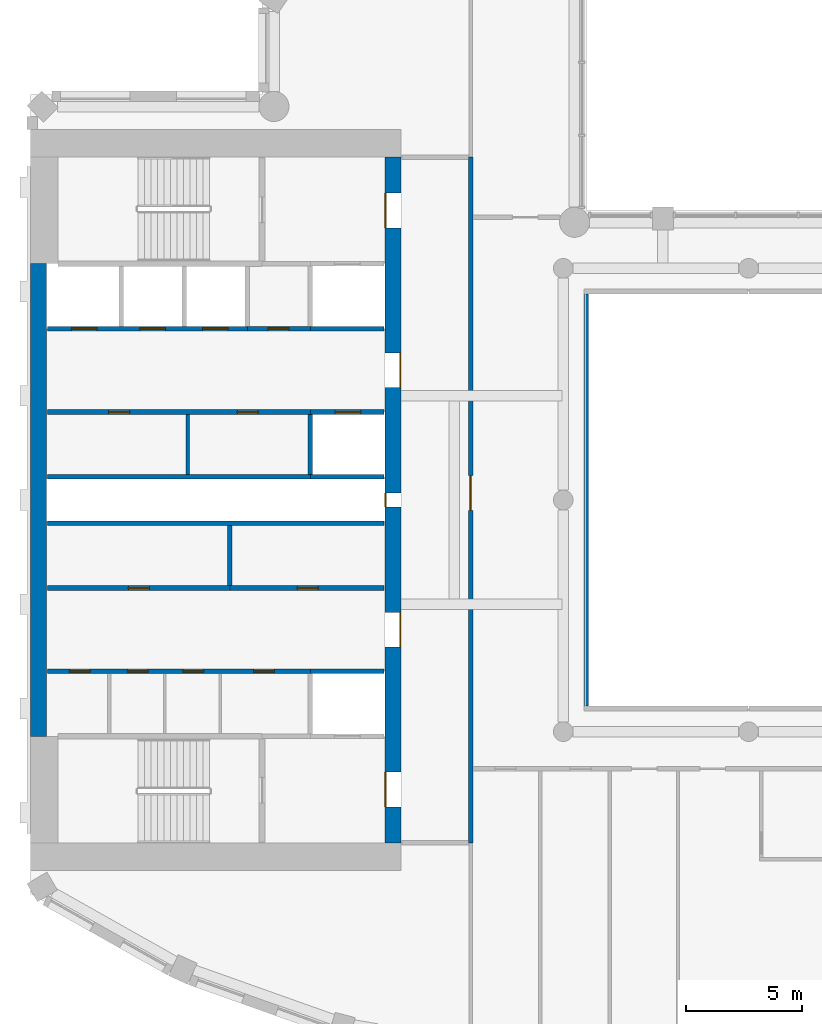
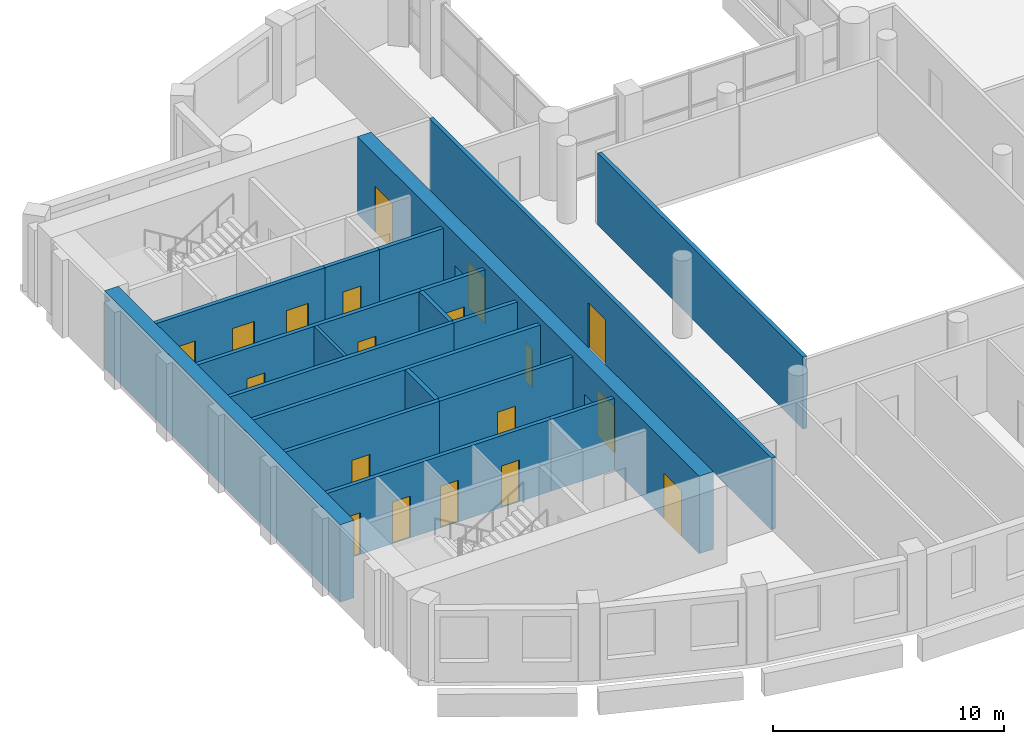
# One storey, part 5 of 14: 19 doors, 19 walls, 19 openings.
"""IFC4 building model written with IfcOpenShell, lengths in metres."""

from ifc_helpers import new_model, si_unit, direction, frame, frame_2d, origin, place, context, subcontext, project, spatial, rectangle, extrude, material, layer, layer_set, type_object, element, fill, save


model = new_model("IFC4")

# Units and contexts
model_context = context("Model", 3, precision=1e-05, world=origin(), true_north=direction((0.0, 1.0)))
body_context = subcontext(model_context, "Body", "Model", "MODEL_VIEW")
ifc_project = project(units=[si_unit("LENGTHUNIT", "METRE"), si_unit("AREAUNIT", "SQUARE_METRE"), si_unit("VOLUMEUNIT", "CUBIC_METRE"), si_unit("PLANEANGLEUNIT", "RADIAN"), si_unit("MASSUNIT", "GRAM", prefix="KILO")], contexts=[model_context])

# Site, building, storey
site_placement = place(None, origin())
site = spatial("IfcSite", under=ifc_project, at=site_placement, CompositionType="ELEMENT")
building_placement = place(site_placement, origin())
building = spatial("IfcBuilding", under=site, at=building_placement, Name="Cypress Arch Tower", CompositionType="ELEMENT")
storey_placement = place(building_placement, frame((0.0, 0.0, 247.5)))
storey = spatial("IfcBuildingStorey", under=building, at=storey_placement, Name="L55", CompositionType="ELEMENT", Elevation=247.5)

# Wall, openings, doors
ifc_material_1 = material(Name="Concrete C60/75", Category="concrete")
ifc_layer_1 = layer(ifc_material_1, 0.699951171875)
ifc_layer_set_1 = layer_set([ifc_layer_1], Name="Core wall CW700 C60/75")
wall_type_1 = type_object("IfcWallType", Name="Core wall CW700 C60/75", PredefinedType="SHEAR", material=ifc_layer_set_1)
wall_1_placement = place(storey_placement, frame((-14.35009765625, -14.800048828125, 0.0), z_axis=(0.0, 0.0, 1.0), x_axis=(0.0, 1.0, 0.0)))
wall_1 = element("IfcWall", 1, at=wall_1_placement, inside=storey, type_object=wall_type_1, Name="Core wall", PredefinedType="SHEAR", context=body_context, shape_type="SweptSolid", body=[
    extrude(rectangle(XDim=29.60009765625, YDim=0.699951171875, at=frame_2d((14.800048828125, 0.0))), origin(), (0.0, 0.0, 1.0), 4.10009765625),
])
opening_1_placement = place(wall_1_placement, frame((1.550048828125, 0.0, 0.0)))
opening_1 = element("IfcOpeningElement", 2, at=opening_1_placement, cuts=wall_1, Name="Opening D07", PredefinedType="OPENING", context=body_context, shape_type="SweptSolid", body=[
    extrude(rectangle(XDim=1.5, YDim=2.39990234375, at=frame_2d((0.75, 1.199951171875))), frame((0.0, 0.35986328125, 0.0), z_axis=(0.0, -1.0, 0.0), x_axis=(1.0, 0.0, 0.0)), (0.0, 0.0, 1.0), 0.719970703125),
])
opening_2_placement = place(wall_1_placement, frame((26.550048828125, 0.0, 0.0)))
opening_2 = element("IfcOpeningElement", 3, at=opening_2_placement, cuts=wall_1, Name="Opening D07", PredefinedType="OPENING", context=body_context, shape_type="SweptSolid", body=[
    extrude(rectangle(XDim=1.5, YDim=2.39990234375, at=frame_2d((0.75, 1.199951171875))), frame((0.0, 0.35986328125, 0.0), z_axis=(0.0, -1.0, 0.0), x_axis=(1.0, 0.0, 0.0)), (0.0, 0.0, 1.0), 0.719970703125),
])
opening_3_placement = place(wall_1_placement, frame((8.449951171875, 0.0, 0.0)))
opening_3 = element("IfcOpeningElement", 4, at=opening_3_placement, cuts=wall_1, Name="Opening D07", PredefinedType="OPENING", context=body_context, shape_type="SweptSolid", body=[
    extrude(rectangle(XDim=1.5, YDim=2.39990234375, at=frame_2d((0.75, 1.199951171875))), frame((0.0, 0.35986328125, 0.0), z_axis=(0.0, -1.0, 0.0), x_axis=(1.0, 0.0, 0.0)), (0.0, 0.0, 1.0), 0.719970703125),
])
opening_4_placement = place(wall_1_placement, frame((19.64990234375, 0.0, 0.0)))
opening_4 = element("IfcOpeningElement", 5, at=opening_4_placement, cuts=wall_1, Name="Opening D07", PredefinedType="OPENING", context=body_context, shape_type="SweptSolid", body=[
    extrude(rectangle(XDim=1.5, YDim=2.39990234375, at=frame_2d((0.75, 1.199951171875))), frame((0.0, 0.35986328125, 0.0), z_axis=(0.0, -1.0, 0.0), x_axis=(1.0, 0.0, 0.0)), (0.0, 0.0, 1.0), 0.719970703125),
])
opening_5_placement = place(wall_1_placement, frame((14.5, 0.0, 0.0)))
opening_5 = element("IfcOpeningElement", 6, at=opening_5_placement, cuts=wall_1, Name="Opening D08", PredefinedType="OPENING", context=body_context, shape_type="SweptSolid", body=[
    extrude(rectangle(XDim=0.60009765625, YDim=2.0, at=frame_2d((0.300048828125, 1.0))), frame((0.0, 0.35986328125, 0.0), z_axis=(0.0, -1.0, 0.0), x_axis=(1.0, 0.0, 0.0)), (0.0, 0.0, 1.0), 0.719970703125),
])
ifc_material_2 = material(Name="Steel framed glazed door, fire resisting", Category="steel")
door_type_1 = type_object("IfcDoorType", Name="Lobby door D07 1500x2400", OperationType="DOUBLE_DOOR_SINGLE_SWING", PredefinedType="DOOR", material=ifc_material_2)
door_1_placement = place(opening_1_placement, origin())
door_1 = element("IfcDoor", 7, at=door_1_placement, inside=storey, type_object=door_type_1, Name="Lobby door", OperationType="DOUBLE_DOOR_SINGLE_SWING", OverallHeight=2.39990234375, OverallWidth=1.5, PredefinedType="DOOR", context=body_context, shape_type="SweptSolid", body=[
    extrude(rectangle(XDim=1.5, YDim=2.39990234375, at=frame_2d((0.75, 1.199951171875))), frame((0.0, 0.34521484375, 0.0), z_axis=(0.0, -1.0, 0.0), x_axis=(1.0, 0.0, 0.0)), (0.0, 0.0, 1.0), 0.050048828125),
])
fill(opening_1, door_1)
door_2_placement = place(opening_2_placement, origin())
door_2 = element("IfcDoor", 8, at=door_2_placement, inside=storey, type_object=door_type_1, Name="Lobby door", OperationType="DOUBLE_DOOR_SINGLE_SWING", OverallHeight=2.39990234375, OverallWidth=1.5, PredefinedType="DOOR", context=body_context, shape_type="SweptSolid", body=[
    extrude(rectangle(XDim=1.5, YDim=2.39990234375, at=frame_2d((0.75, 1.199951171875))), frame((0.0, 0.34521484375, 0.0), z_axis=(0.0, -1.0, 0.0), x_axis=(1.0, 0.0, 0.0)), (0.0, 0.0, 1.0), 0.050048828125),
])
fill(opening_2, door_2)
door_3_placement = place(opening_3_placement, origin())
door_3 = element("IfcDoor", 9, at=door_3_placement, inside=storey, type_object=door_type_1, Name="Lobby door", OperationType="DOUBLE_DOOR_SINGLE_SWING", OverallHeight=2.39990234375, OverallWidth=1.5, PredefinedType="DOOR", context=body_context, shape_type="SweptSolid", body=[
    extrude(rectangle(XDim=1.5, YDim=2.39990234375, at=frame_2d((0.75, 1.199951171875))), frame((0.0, -0.294921875, 0.0), z_axis=(0.0, -1.0, 0.0), x_axis=(1.0, 0.0, 0.0)), (0.0, 0.0, 1.0), 0.050048828125),
])
fill(opening_3, door_3)
door_4_placement = place(opening_4_placement, origin())
door_4 = element("IfcDoor", 10, at=door_4_placement, inside=storey, type_object=door_type_1, Name="Lobby door", OperationType="DOUBLE_DOOR_SINGLE_SWING", OverallHeight=2.39990234375, OverallWidth=1.5, PredefinedType="DOOR", context=body_context, shape_type="SweptSolid", body=[
    extrude(rectangle(XDim=1.5, YDim=2.39990234375, at=frame_2d((0.75, 1.199951171875))), frame((0.0, -0.294921875, 0.0), z_axis=(0.0, -1.0, 0.0), x_axis=(1.0, 0.0, 0.0)), (0.0, 0.0, 1.0), 0.050048828125),
])
fill(opening_4, door_4)
ifc_material_3 = material(Name="Steel access door, fire resisting", Category="steel")
door_type_2 = type_object("IfcDoorType", Name="Riser access door D08 600x2000", OperationType="SINGLE_SWING_LEFT", PredefinedType="DOOR", material=ifc_material_3)
door_5_placement = place(opening_5_placement, origin())
door_5 = element("IfcDoor", 11, at=door_5_placement, inside=storey, type_object=door_type_2, Name="Riser access door", OperationType="SINGLE_SWING_RIGHT", OverallHeight=2.0, OverallWidth=0.60009765625, PredefinedType="DOOR", context=body_context, shape_type="SweptSolid", body=[
    extrude(rectangle(XDim=0.60009765625, YDim=2.0, at=frame_2d((0.300048828125, 1.0))), frame((0.0, 0.34521484375, 0.0), z_axis=(0.0, -1.0, 0.0), x_axis=(1.0, 0.0, 0.0)), (0.0, 0.0, 1.0), 0.050048828125),
])
fill(opening_5, door_5)

# Wall
wall_2_placement = place(storey_placement, frame((-29.64990234375, -10.199951171875, 0.0), z_axis=(0.0, 0.0, 1.0), x_axis=(0.0, 1.0, 0.0)))
element("IfcWall", 12, at=wall_2_placement, inside=storey, type_object=wall_type_1, Name="Core wall", PredefinedType="SHEAR", context=body_context, shape_type="SweptSolid", body=[
    extrude(rectangle(XDim=20.39990234375, YDim=0.699951171875, at=frame_2d((10.199951171875, 0.0))), origin(), (0.0, 0.0, 1.0), 4.10009765625),
])

# Wall, openings, doors
ifc_material_4 = material(Name="Concrete blockwork, plastered, rated", Category="masonry")
ifc_layer_2 = layer(ifc_material_4, 0.199951171875)
ifc_layer_set_2 = layer_set([ifc_layer_2], Name="Corridor wall FW200")
wall_type_2 = type_object("IfcWallType", Name="Corridor wall FW200", PredefinedType="PARTITIONING", material=ifc_layer_set_2)
wall_3_placement = place(storey_placement, frame((-29.27001953125, -7.39990234375, 0.0), z_axis=(0.0, 0.0, 1.0), x_axis=(1.0, 0.0, 0.0)))
wall_3 = element("IfcWall", 13, at=wall_3_placement, inside=storey, type_object=wall_type_2, Name="Corridor wall", PredefinedType="PARTITIONING", context=body_context, shape_type="SweptSolid", body=[
    extrude(rectangle(XDim=11.3701171875, YDim=0.199951171875, at=frame_2d((5.68505859375, 0.0))), origin(), (0.0, 0.0, 1.0), 3.800048828125),
])
opening_6_placement = place(wall_3_placement, frame((0.949951171875, 0.0, 0.0)))
opening_6 = element("IfcOpeningElement", 14, at=opening_6_placement, cuts=wall_3, Name="Opening D05", PredefinedType="OPENING", context=body_context, shape_type="SweptSolid", body=[
    extrude(rectangle(XDim=0.89990234375, YDim=2.199951171875, at=frame_2d((0.449951171875, 1.10009765625))), frame((0.0, 0.10986328125, 0.0), z_axis=(0.0, -1.0, 0.0), x_axis=(1.0, 0.0, 0.0)), (0.0, 0.0, 1.0), 0.219970703125),
])
opening_7_placement = place(wall_3_placement, frame((3.449951171875, 0.0, 0.0)))
opening_7 = element("IfcOpeningElement", 15, at=opening_7_placement, cuts=wall_3, Name="Opening D05", PredefinedType="OPENING", context=body_context, shape_type="SweptSolid", body=[
    extrude(rectangle(XDim=0.89990234375, YDim=2.199951171875, at=frame_2d((0.449951171875, 1.10009765625))), frame((0.0, 0.10986328125, 0.0), z_axis=(0.0, -1.0, 0.0), x_axis=(1.0, 0.0, 0.0)), (0.0, 0.0, 1.0), 0.219970703125),
])
opening_8_placement = place(wall_3_placement, frame((5.85009765625, 0.0, 0.0)))
opening_8 = element("IfcOpeningElement", 16, at=opening_8_placement, cuts=wall_3, Name="Opening D05", PredefinedType="OPENING", context=body_context, shape_type="SweptSolid", body=[
    extrude(rectangle(XDim=0.89990234375, YDim=2.199951171875, at=frame_2d((0.449951171875, 1.10009765625))), frame((0.0, 0.10986328125, 0.0), z_axis=(0.0, -1.0, 0.0), x_axis=(1.0, 0.0, 0.0)), (0.0, 0.0, 1.0), 0.219970703125),
])
opening_9_placement = place(wall_3_placement, frame((8.89990234375, 0.0, 0.0)))
opening_9 = element("IfcOpeningElement", 17, at=opening_9_placement, cuts=wall_3, Name="Opening D05", PredefinedType="OPENING", context=body_context, shape_type="SweptSolid", body=[
    extrude(rectangle(XDim=0.89990234375, YDim=2.199951171875, at=frame_2d((0.449951171875, 1.10009765625))), frame((0.0, 0.10986328125, 0.0), z_axis=(0.0, -1.0, 0.0), x_axis=(1.0, 0.0, 0.0)), (0.0, 0.0, 1.0), 0.219970703125),
])
ifc_material_5 = material(Name="Timber flush door", Category="wood")
door_type_3 = type_object("IfcDoorType", Name="Service door D05 900x2200", OperationType="SINGLE_SWING_LEFT", PredefinedType="DOOR", material=ifc_material_5)
door_6_placement = place(opening_6_placement, origin())
door_6 = element("IfcDoor", 18, at=door_6_placement, inside=storey, type_object=door_type_3, Name="Service door", OperationType="SINGLE_SWING_LEFT", OverallHeight=2.199951171875, OverallWidth=0.89990234375, PredefinedType="DOOR", context=body_context, shape_type="SweptSolid", body=[
    extrude(rectangle(XDim=0.89990234375, YDim=2.199951171875, at=frame_2d((0.449951171875, 1.10009765625))), frame((0.0, 0.02490234375, 0.0), z_axis=(0.0, -1.0, 0.0), x_axis=(1.0, 0.0, 0.0)), (0.0, 0.0, 1.0), 0.050048828125),
])
fill(opening_6, door_6)
door_7_placement = place(opening_7_placement, origin())
door_7 = element("IfcDoor", 19, at=door_7_placement, inside=storey, type_object=door_type_3, Name="Service door", OperationType="SINGLE_SWING_LEFT", OverallHeight=2.199951171875, OverallWidth=0.89990234375, PredefinedType="DOOR", context=body_context, shape_type="SweptSolid", body=[
    extrude(rectangle(XDim=0.89990234375, YDim=2.199951171875, at=frame_2d((0.449951171875, 1.10009765625))), frame((0.0, 0.02490234375, 0.0), z_axis=(0.0, -1.0, 0.0), x_axis=(1.0, 0.0, 0.0)), (0.0, 0.0, 1.0), 0.050048828125),
])
fill(opening_7, door_7)
door_8_placement = place(opening_8_placement, origin())
door_8 = element("IfcDoor", 20, at=door_8_placement, inside=storey, type_object=door_type_3, Name="Service door", OperationType="SINGLE_SWING_LEFT", OverallHeight=2.199951171875, OverallWidth=0.89990234375, PredefinedType="DOOR", context=body_context, shape_type="SweptSolid", body=[
    extrude(rectangle(XDim=0.89990234375, YDim=2.199951171875, at=frame_2d((0.449951171875, 1.10009765625))), frame((0.0, 0.02490234375, 0.0), z_axis=(0.0, -1.0, 0.0), x_axis=(1.0, 0.0, 0.0)), (0.0, 0.0, 1.0), 0.050048828125),
])
fill(opening_8, door_8)
door_9_placement = place(opening_9_placement, origin())
door_9 = element("IfcDoor", 21, at=door_9_placement, inside=storey, type_object=door_type_3, Name="Service door", OperationType="SINGLE_SWING_RIGHT", OverallHeight=2.199951171875, OverallWidth=0.89990234375, PredefinedType="DOOR", context=body_context, shape_type="SweptSolid", body=[
    extrude(rectangle(XDim=0.89990234375, YDim=2.199951171875, at=frame_2d((0.449951171875, 1.10009765625))), frame((0.0, 0.02490234375, 0.0), z_axis=(0.0, -1.0, 0.0), x_axis=(1.0, 0.0, 0.0)), (0.0, 0.0, 1.0), 0.050048828125),
])
fill(opening_9, door_9)

wall_4_placement = place(storey_placement, frame((-29.27001953125, 3.800048828125, 0.0), z_axis=(0.0, 0.0, 1.0), x_axis=(1.0, 0.0, 0.0)))
wall_4 = element("IfcWall", 22, at=wall_4_placement, inside=storey, type_object=wall_type_2, Name="Corridor wall", PredefinedType="PARTITIONING", context=body_context, shape_type="SweptSolid", body=[
    extrude(rectangle(XDim=11.3701171875, YDim=0.199951171875, at=frame_2d((5.68505859375, 0.0))), origin(), (0.0, 0.0, 1.0), 3.800048828125),
])
opening_10_placement = place(wall_4_placement, frame((2.64990234375, 0.0, 0.0)))
opening_10 = element("IfcOpeningElement", 23, at=opening_10_placement, cuts=wall_4, Name="Opening D05", PredefinedType="OPENING", context=body_context, shape_type="SweptSolid", body=[
    extrude(rectangle(XDim=0.89990234375, YDim=2.199951171875, at=frame_2d((0.449951171875, 1.10009765625))), frame((0.0, 0.10986328125, 0.0), z_axis=(0.0, -1.0, 0.0), x_axis=(1.0, 0.0, 0.0)), (0.0, 0.0, 1.0), 0.219970703125),
])
opening_11_placement = place(wall_4_placement, frame((8.199951171875, 0.0, 0.0)))
opening_11 = element("IfcOpeningElement", 24, at=opening_11_placement, cuts=wall_4, Name="Opening D05", PredefinedType="OPENING", context=body_context, shape_type="SweptSolid", body=[
    extrude(rectangle(XDim=0.89990234375, YDim=2.199951171875, at=frame_2d((0.449951171875, 1.10009765625))), frame((0.0, 0.10986328125, 0.0), z_axis=(0.0, -1.0, 0.0), x_axis=(1.0, 0.0, 0.0)), (0.0, 0.0, 1.0), 0.219970703125),
])
door_10_placement = place(opening_10_placement, origin())
door_10 = element("IfcDoor", 25, at=door_10_placement, inside=storey, type_object=door_type_3, Name="Service door", OperationType="SINGLE_SWING_LEFT", OverallHeight=2.199951171875, OverallWidth=0.89990234375, PredefinedType="DOOR", context=body_context, shape_type="SweptSolid", body=[
    extrude(rectangle(XDim=0.89990234375, YDim=2.199951171875, at=frame_2d((0.449951171875, 1.10009765625))), frame((0.0, 0.02490234375, 0.0), z_axis=(0.0, -1.0, 0.0), x_axis=(1.0, 0.0, 0.0)), (0.0, 0.0, 1.0), 0.050048828125),
])
fill(opening_10, door_10)
door_11_placement = place(opening_11_placement, origin())
door_11 = element("IfcDoor", 26, at=door_11_placement, inside=storey, type_object=door_type_3, Name="Service door", OperationType="SINGLE_SWING_RIGHT", OverallHeight=2.199951171875, OverallWidth=0.89990234375, PredefinedType="DOOR", context=body_context, shape_type="SweptSolid", body=[
    extrude(rectangle(XDim=0.89990234375, YDim=2.199951171875, at=frame_2d((0.449951171875, 1.10009765625))), frame((0.0, 0.02490234375, 0.0), z_axis=(0.0, -1.0, 0.0), x_axis=(1.0, 0.0, 0.0)), (0.0, 0.0, 1.0), 0.050048828125),
])
fill(opening_11, door_11)

# Wall, opening, door
wall_5_placement = place(storey_placement, frame((-21.3798828125, -3.800048828125, 0.0), z_axis=(0.0, 0.0, 1.0), x_axis=(1.0, 0.0, 0.0)))
wall_5 = element("IfcWall", 27, at=wall_5_placement, inside=storey, type_object=wall_type_2, Name="Corridor wall", PredefinedType="PARTITIONING", context=body_context, shape_type="SweptSolid", body=[
    extrude(rectangle(XDim=6.64990234375, YDim=0.199951171875, at=frame_2d((3.324951171875, 0.0))), origin(), (0.0, 0.0, 1.0), 3.800048828125),
])
opening_12_placement = place(wall_5_placement, frame((2.89990234375, 0.0, 0.0)))
opening_12 = element("IfcOpeningElement", 28, at=opening_12_placement, cuts=wall_5, Name="Opening D05", PredefinedType="OPENING", context=body_context, shape_type="SweptSolid", body=[
    extrude(rectangle(XDim=0.89990234375, YDim=2.199951171875, at=frame_2d((0.449951171875, 1.10009765625))), frame((0.0, 0.10986328125, 0.0), z_axis=(0.0, -1.0, 0.0), x_axis=(1.0, 0.0, 0.0)), (0.0, 0.0, 1.0), 0.219970703125),
])
door_12_placement = place(opening_12_placement, origin())
door_12 = element("IfcDoor", 29, at=door_12_placement, inside=storey, type_object=door_type_3, Name="Service door", OperationType="SINGLE_SWING_LEFT", OverallHeight=2.199951171875, OverallWidth=0.89990234375, PredefinedType="DOOR", context=body_context, shape_type="SweptSolid", body=[
    extrude(rectangle(XDim=0.89990234375, YDim=2.199951171875, at=frame_2d((0.449951171875, 1.10009765625))), frame((0.0, 0.02490234375, 0.0), z_axis=(0.0, -1.0, 0.0), x_axis=(1.0, 0.0, 0.0)), (0.0, 0.0, 1.0), 0.050048828125),
])
fill(opening_12, door_12)

wall_6_placement = place(storey_placement, frame((-20.639892578125, 7.39990234375, 0.0), z_axis=(0.0, 0.0, 1.0), x_axis=(1.0, 0.0, 0.0)))
wall_6 = element("IfcWall", 30, at=wall_6_placement, inside=storey, type_object=wall_type_2, Name="Corridor wall", PredefinedType="PARTITIONING", context=body_context, shape_type="SweptSolid", body=[
    extrude(rectangle(XDim=2.719970703125, YDim=0.199951171875, at=frame_2d((1.35986328125, 0.0))), origin(), (0.0, 0.0, 1.0), 3.800048828125),
])
opening_13_placement = place(wall_6_placement, frame((0.89990234375, 0.0, 0.0)))
opening_13 = element("IfcOpeningElement", 31, at=opening_13_placement, cuts=wall_6, Name="Opening D05", PredefinedType="OPENING", context=body_context, shape_type="SweptSolid", body=[
    extrude(rectangle(XDim=0.89990234375, YDim=2.199951171875, at=frame_2d((0.449951171875, 1.10009765625))), frame((0.0, 0.10986328125, 0.0), z_axis=(0.0, -1.0, 0.0), x_axis=(1.0, 0.0, 0.0)), (0.0, 0.0, 1.0), 0.219970703125),
])
door_13_placement = place(opening_13_placement, origin())
door_13 = element("IfcDoor", 32, at=door_13_placement, inside=storey, type_object=door_type_3, Name="Service door", OperationType="SINGLE_SWING_LEFT", OverallHeight=2.199951171875, OverallWidth=0.89990234375, PredefinedType="DOOR", context=body_context, shape_type="SweptSolid", body=[
    extrude(rectangle(XDim=0.89990234375, YDim=2.199951171875, at=frame_2d((0.449951171875, 1.10009765625))), frame((0.0, 0.02490234375, 0.0), z_axis=(0.0, -1.0, 0.0), x_axis=(1.0, 0.0, 0.0)), (0.0, 0.0, 1.0), 0.050048828125),
])
fill(opening_13, door_13)

wall_7_placement = place(storey_placement, frame((-11.0, -14.800048828125, 0.0), z_axis=(0.0, 0.0, 1.0), x_axis=(0.0, 1.0, 0.0)))
wall_7 = element("IfcWall", 33, at=wall_7_placement, inside=storey, type_object=wall_type_2, Name="Corridor wall", PredefinedType="PARTITIONING", context=body_context, shape_type="SweptSolid", body=[
    extrude(rectangle(XDim=29.60009765625, YDim=0.199951171875, at=frame_2d((14.800048828125, 0.0))), origin(), (0.0, 0.0, 1.0), 3.800048828125),
])
opening_14_placement = place(wall_7_placement, frame((14.35009765625, 0.0, 0.0)))
opening_14 = element("IfcOpeningElement", 34, at=opening_14_placement, cuts=wall_7, Name="Opening D07", PredefinedType="OPENING", context=body_context, shape_type="SweptSolid", body=[
    extrude(rectangle(XDim=1.5, YDim=2.39990234375, at=frame_2d((0.75, 1.199951171875))), frame((0.0, 0.10986328125, 0.0), z_axis=(0.0, -1.0, 0.0), x_axis=(1.0, 0.0, 0.0)), (0.0, 0.0, 1.0), 0.219970703125),
])
door_14_placement = place(opening_14_placement, origin())
door_14 = element("IfcDoor", 35, at=door_14_placement, inside=storey, type_object=door_type_1, Name="Lobby door", OperationType="DOUBLE_DOOR_SINGLE_SWING", OverallHeight=2.39990234375, OverallWidth=1.5, PredefinedType="DOOR", context=body_context, shape_type="SweptSolid", body=[
    extrude(rectangle(XDim=1.5, YDim=2.39990234375, at=frame_2d((0.75, 1.199951171875))), frame((0.0, 0.02490234375, 0.0), z_axis=(0.0, -1.0, 0.0), x_axis=(1.0, 0.0, 0.0)), (0.0, 0.0, 1.0), 0.050048828125),
])
fill(opening_14, door_14)

# Walls
wall_8_placement = place(storey_placement, frame((-6.0, -8.89990234375, 0.0), z_axis=(0.0, 0.0, 1.0), x_axis=(0.0, 1.0, 0.0)))
element("IfcWall", 36, at=wall_8_placement, inside=storey, type_object=wall_type_2, Name="Corridor wall", PredefinedType="PARTITIONING", context=body_context, shape_type="SweptSolid", body=[
    extrude(rectangle(XDim=17.7998046875, YDim=0.199951171875, at=frame_2d((8.89990234375, 0.0))), origin(), (0.0, 0.0, 1.0), 3.800048828125),
])
ifc_material_6 = material(Name="Blockwork, plastered both sides", Category="masonry")
ifc_layer_3 = layer(ifc_material_6, 0.14990234375)
ifc_layer_set_3 = layer_set([ifc_layer_3], Name="Partition PW150")
wall_type_3 = type_object("IfcWallType", Name="Partition PW150", PredefinedType="PARTITIONING", material=ifc_layer_set_3)
wall_9_placement = place(storey_placement, frame((-23.199951171875, 1.10009765625, 0.0), z_axis=(0.0, 0.0, 1.0), x_axis=(0.0, 1.0, 0.0)))
element("IfcWall", 37, at=wall_9_placement, inside=storey, type_object=wall_type_3, Name="Partition", PredefinedType="PARTITIONING", context=body_context, shape_type="SweptSolid", body=[
    extrude(rectangle(XDim=2.599853515625, YDim=0.14990234375, at=frame_2d((1.2998046875, 0.0))), origin(), (0.0, 0.0, 1.0), 3.800048828125),
])

# Wall, opening, door
ifc_material_7 = material(Name="Reinforced blockwork, plastered, rated", Category="masonry")
ifc_layer_4 = layer(ifc_material_7, 0.199951171875)
ifc_layer_set_4 = layer_set([ifc_layer_4], Name="Plant and riser wall PL200")
wall_type_4 = type_object("IfcWallType", Name="Plant and riser wall PL200", PredefinedType="PARTITIONING", material=ifc_layer_set_4)
wall_10_placement = place(storey_placement, frame((-29.27001953125, -3.800048828125, 0.0), z_axis=(0.0, 0.0, 1.0), x_axis=(1.0, 0.0, 0.0)))
wall_10 = element("IfcWall", 38, at=wall_10_placement, inside=storey, type_object=wall_type_4, Name="Plant and riser wall", PredefinedType="PARTITIONING", context=body_context, shape_type="SweptSolid", body=[
    extrude(rectangle(XDim=7.89013671875, YDim=0.199951171875, at=frame_2d((3.945068359375, 0.0))), origin(), (0.0, 0.0, 1.0), 3.800048828125),
])
opening_15_placement = place(wall_10_placement, frame((3.5, 0.0, 0.0)))
opening_15 = element("IfcOpeningElement", 39, at=opening_15_placement, cuts=wall_10, Name="Opening D05", PredefinedType="OPENING", context=body_context, shape_type="SweptSolid", body=[
    extrude(rectangle(XDim=0.89990234375, YDim=2.199951171875, at=frame_2d((0.449951171875, 1.10009765625))), frame((0.0, 0.10986328125, 0.0), z_axis=(0.0, -1.0, 0.0), x_axis=(1.0, 0.0, 0.0)), (0.0, 0.0, 1.0), 0.219970703125),
])
door_15_placement = place(opening_15_placement, origin())
door_15 = element("IfcDoor", 40, at=door_15_placement, inside=storey, type_object=door_type_3, Name="Service door", OperationType="SINGLE_SWING_RIGHT", OverallHeight=2.199951171875, OverallWidth=0.89990234375, PredefinedType="DOOR", context=body_context, shape_type="SweptSolid", body=[
    extrude(rectangle(XDim=0.89990234375, YDim=2.199951171875, at=frame_2d((0.449951171875, 1.10009765625))), frame((0.0, 0.02490234375, 0.0), z_axis=(0.0, -1.0, 0.0), x_axis=(1.0, 0.0, 0.0)), (0.0, 0.0, 1.0), 0.050048828125),
])
fill(opening_15, door_15)

# Walls
wall_11_placement = place(storey_placement, frame((-29.27001953125, -1.0, 0.0), z_axis=(0.0, 0.0, 1.0), x_axis=(1.0, 0.0, 0.0)))
element("IfcWall", 41, at=wall_11_placement, inside=storey, type_object=wall_type_4, Name="Plant and riser wall", PredefinedType="PARTITIONING", context=body_context, shape_type="SweptSolid", body=[
    extrude(rectangle(XDim=14.5400390625, YDim=0.199951171875, at=frame_2d((7.27001953125, 0.0))), origin(), (0.0, 0.0, 1.0), 3.800048828125),
])
wall_12_placement = place(storey_placement, frame((-29.27001953125, 1.0, 0.0), z_axis=(0.0, 0.0, 1.0), x_axis=(1.0, 0.0, 0.0)))
element("IfcWall", 42, at=wall_12_placement, inside=storey, type_object=wall_type_4, Name="Plant and riser wall", PredefinedType="PARTITIONING", context=body_context, shape_type="SweptSolid", body=[
    extrude(rectangle(XDim=11.3701171875, YDim=0.199951171875, at=frame_2d((5.68505859375, 0.0))), origin(), (0.0, 0.0, 1.0), 3.800048828125),
])
wall_13_placement = place(storey_placement, frame((-21.39990234375, -3.699951171875, 0.0), z_axis=(0.0, 0.0, 1.0), x_axis=(0.0, 1.0, 0.0)))
element("IfcWall", 43, at=wall_13_placement, inside=storey, type_object=wall_type_4, Name="Plant and riser wall", PredefinedType="PARTITIONING", context=body_context, shape_type="SweptSolid", body=[
    extrude(rectangle(XDim=2.599853515625, YDim=0.199951171875, at=frame_2d((1.2998046875, 0.0))), origin(), (0.0, 0.0, 1.0), 3.800048828125),
])

# Wall, openings, doors
ifc_material_8 = material(Name="Concrete C50/60", Category="concrete")
ifc_layer_5 = layer(ifc_material_8, 0.199951171875)
ifc_layer_set_5 = layer_set([ifc_layer_5], Name="Shaft wall SH200")
wall_type_5 = type_object("IfcWallType", Name="Shaft wall SH200", PredefinedType="SHEAR", material=ifc_layer_set_5)
wall_14_placement = place(storey_placement, frame((-29.27001953125, 7.39990234375, 0.0), z_axis=(0.0, 0.0, 1.0), x_axis=(1.0, 0.0, 0.0)))
wall_14 = element("IfcWall", 44, at=wall_14_placement, inside=storey, type_object=wall_type_5, Name="Shaft wall", PredefinedType="SHEAR", context=body_context, shape_type="SweptSolid", body=[
    extrude(rectangle(XDim=8.630126953125, YDim=0.199951171875, at=frame_2d((4.31494140625, 0.0))), origin(), (0.0, 0.0, 1.0), 3.800048828125),
])
opening_16_placement = place(wall_14_placement, frame((1.050048828125, 0.0, 0.0)))
opening_16 = element("IfcOpeningElement", 45, at=opening_16_placement, cuts=wall_14, Name="Opening LD-HR5", PredefinedType="OPENING", context=body_context, shape_type="SweptSolid", body=[
    extrude(rectangle(XDim=1.10009765625, YDim=2.199951171875, at=frame_2d((0.550048828125, 1.10009765625))), frame((0.0, 0.10986328125, 0.0), z_axis=(0.0, -1.0, 0.0), x_axis=(1.0, 0.0, 0.0)), (0.0, 0.0, 1.0), 0.219970703125),
])
opening_17_placement = place(wall_14_placement, frame((4.0, 0.0, 0.0)))
opening_17 = element("IfcOpeningElement", 46, at=opening_17_placement, cuts=wall_14, Name="Opening LD-HR6", PredefinedType="OPENING", context=body_context, shape_type="SweptSolid", body=[
    extrude(rectangle(XDim=1.10009765625, YDim=2.199951171875, at=frame_2d((0.550048828125, 1.10009765625))), frame((0.0, 0.10986328125, 0.0), z_axis=(0.0, -1.0, 0.0), x_axis=(1.0, 0.0, 0.0)), (0.0, 0.0, 1.0), 0.219970703125),
])
opening_18_placement = place(wall_14_placement, frame((6.699951171875, 0.0, 0.0)))
opening_18 = element("IfcOpeningElement", 47, at=opening_18_placement, cuts=wall_14, Name="Opening LD-HR7", PredefinedType="OPENING", context=body_context, shape_type="SweptSolid", body=[
    extrude(rectangle(XDim=1.10009765625, YDim=2.199951171875, at=frame_2d((0.550048828125, 1.10009765625))), frame((0.0, 0.10986328125, 0.0), z_axis=(0.0, -1.0, 0.0), x_axis=(1.0, 0.0, 0.0)), (0.0, 0.0, 1.0), 0.219970703125),
])
ifc_material_9 = material(Name="Stainless steel centre-opening landing door, rated", Category="steel")
door_type_4 = type_object("IfcDoorType", Name="Lift landing door LD 1100x2200", OperationType="DOUBLE_DOOR_SLIDING", PredefinedType="DOOR", material=ifc_material_9)
door_16_placement = place(opening_16_placement, origin())
door_16 = element("IfcDoor", 48, at=door_16_placement, inside=storey, type_object=door_type_4, Name="Lift landing doors HR5", OperationType="DOUBLE_DOOR_SLIDING", OverallHeight=2.199951171875, OverallWidth=1.10009765625, PredefinedType="DOOR", context=body_context, shape_type="SweptSolid", body=[
    extrude(rectangle(XDim=1.10009765625, YDim=2.199951171875, at=frame_2d((0.550048828125, 1.10009765625))), frame((0.0, 0.02490234375, 0.0), z_axis=(0.0, -1.0, 0.0), x_axis=(1.0, 0.0, 0.0)), (0.0, 0.0, 1.0), 0.050048828125),
])
fill(opening_16, door_16)
door_17_placement = place(opening_17_placement, origin())
door_17 = element("IfcDoor", 49, at=door_17_placement, inside=storey, type_object=door_type_4, Name="Lift landing doors HR6", OperationType="DOUBLE_DOOR_SLIDING", OverallHeight=2.199951171875, OverallWidth=1.10009765625, PredefinedType="DOOR", context=body_context, shape_type="SweptSolid", body=[
    extrude(rectangle(XDim=1.10009765625, YDim=2.199951171875, at=frame_2d((0.550048828125, 1.10009765625))), frame((0.0, 0.02490234375, 0.0), z_axis=(0.0, -1.0, 0.0), x_axis=(1.0, 0.0, 0.0)), (0.0, 0.0, 1.0), 0.050048828125),
])
fill(opening_17, door_17)
door_18_placement = place(opening_18_placement, origin())
door_18 = element("IfcDoor", 50, at=door_18_placement, inside=storey, type_object=door_type_4, Name="Lift landing doors HR7", OperationType="DOUBLE_DOOR_SLIDING", OverallHeight=2.199951171875, OverallWidth=1.10009765625, PredefinedType="DOOR", context=body_context, shape_type="SweptSolid", body=[
    extrude(rectangle(XDim=1.10009765625, YDim=2.199951171875, at=frame_2d((0.550048828125, 1.10009765625))), frame((0.0, 0.02490234375, 0.0), z_axis=(0.0, -1.0, 0.0), x_axis=(1.0, 0.0, 0.0)), (0.0, 0.0, 1.0), 0.050048828125),
])
fill(opening_18, door_18)

# Walls
wall_15_placement = place(storey_placement, frame((-17.89990234375, -7.39990234375, 0.0), z_axis=(0.0, 0.0, 1.0), x_axis=(1.0, 0.0, 0.0)))
element("IfcWall", 51, at=wall_15_placement, inside=storey, type_object=wall_type_5, Name="Shaft wall", PredefinedType="SHEAR", context=body_context, shape_type="SweptSolid", body=[
    extrude(rectangle(XDim=3.169921875, YDim=0.199951171875, at=frame_2d((1.5849609375, 0.0))), origin(), (0.0, 0.0, 1.0), 3.800048828125),
])
wall_16_placement = place(storey_placement, frame((-17.919921875, 1.10009765625, 0.0), z_axis=(0.0, 0.0, 1.0), x_axis=(0.0, 1.0, 0.0)))
element("IfcWall", 52, at=wall_16_placement, inside=storey, type_object=wall_type_5, Name="Shaft wall", PredefinedType="SHEAR", context=body_context, shape_type="SweptSolid", body=[
    extrude(rectangle(XDim=2.599853515625, YDim=0.199951171875, at=frame_2d((1.2998046875, 0.0))), origin(), (0.0, 0.0, 1.0), 3.800048828125),
])
wall_17_placement = place(storey_placement, frame((-17.89990234375, 1.0, 0.0), z_axis=(0.0, 0.0, 1.0), x_axis=(1.0, 0.0, 0.0)))
element("IfcWall", 53, at=wall_17_placement, inside=storey, type_object=wall_type_5, Name="Shaft wall", PredefinedType="SHEAR", context=body_context, shape_type="SweptSolid", body=[
    extrude(rectangle(XDim=3.169921875, YDim=0.199951171875, at=frame_2d((1.5849609375, 0.0))), origin(), (0.0, 0.0, 1.0), 3.800048828125),
])

# Wall, opening, door
wall_18_placement = place(storey_placement, frame((-17.89990234375, 3.800048828125, 0.0), z_axis=(0.0, 0.0, 1.0), x_axis=(1.0, 0.0, 0.0)))
wall_18 = element("IfcWall", 54, at=wall_18_placement, inside=storey, type_object=wall_type_5, Name="Shaft wall", PredefinedType="SHEAR", context=body_context, shape_type="SweptSolid", body=[
    extrude(rectangle(XDim=3.169921875, YDim=0.199951171875, at=frame_2d((1.5849609375, 0.0))), origin(), (0.0, 0.0, 1.0), 3.800048828125),
])
opening_19_placement = place(wall_18_placement, frame((1.050048828125, 0.0, 0.0)))
opening_19 = element("IfcOpeningElement", 55, at=opening_19_placement, cuts=wall_18, Name="Opening LD-HR4", PredefinedType="OPENING", context=body_context, shape_type="SweptSolid", body=[
    extrude(rectangle(XDim=1.10009765625, YDim=2.199951171875, at=frame_2d((0.550048828125, 1.10009765625))), frame((0.0, 0.10986328125, 0.0), z_axis=(0.0, -1.0, 0.0), x_axis=(1.0, 0.0, 0.0)), (0.0, 0.0, 1.0), 0.219970703125),
])
door_19_placement = place(opening_19_placement, origin())
door_19 = element("IfcDoor", 56, at=door_19_placement, inside=storey, type_object=door_type_4, Name="Lift landing doors HR4", OperationType="DOUBLE_DOOR_SLIDING", OverallHeight=2.199951171875, OverallWidth=1.10009765625, PredefinedType="DOOR", context=body_context, shape_type="SweptSolid", body=[
    extrude(rectangle(XDim=1.10009765625, YDim=2.199951171875, at=frame_2d((0.550048828125, 1.10009765625))), frame((0.0, 0.02490234375, 0.0), z_axis=(0.0, -1.0, 0.0), x_axis=(1.0, 0.0, 0.0)), (0.0, 0.0, 1.0), 0.050048828125),
])
fill(opening_19, door_19)

# Wall
wall_19_placement = place(storey_placement, frame((-17.919921875, 7.39990234375, 0.0), z_axis=(0.0, 0.0, 1.0), x_axis=(1.0, 0.0, 0.0)))
element("IfcWall", 57, at=wall_19_placement, inside=storey, type_object=wall_type_5, Name="Shaft wall", PredefinedType="SHEAR", context=body_context, shape_type="SweptSolid", body=[
    extrude(rectangle(XDim=3.18994140625, YDim=0.199951171875, at=frame_2d((1.594970703125, 0.0))), origin(), (0.0, 0.0, 1.0), 3.800048828125),
])

save(model, "model.ifc")
